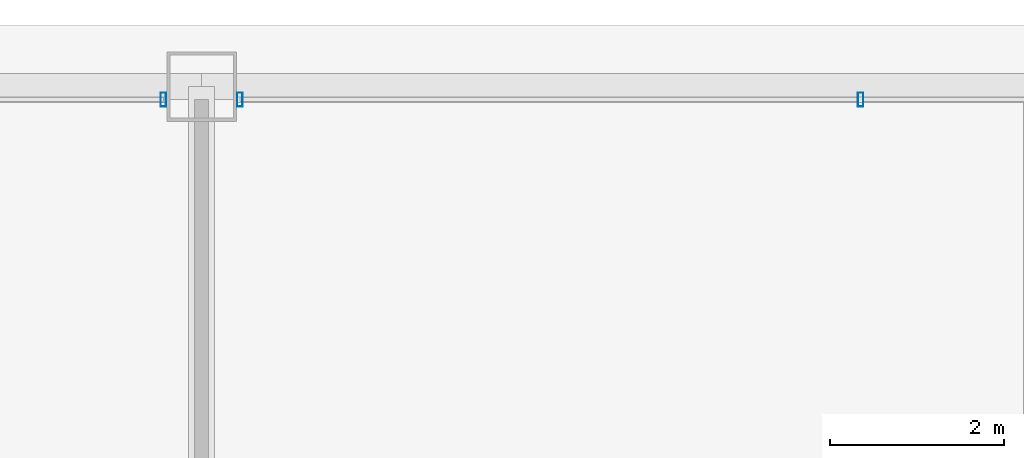
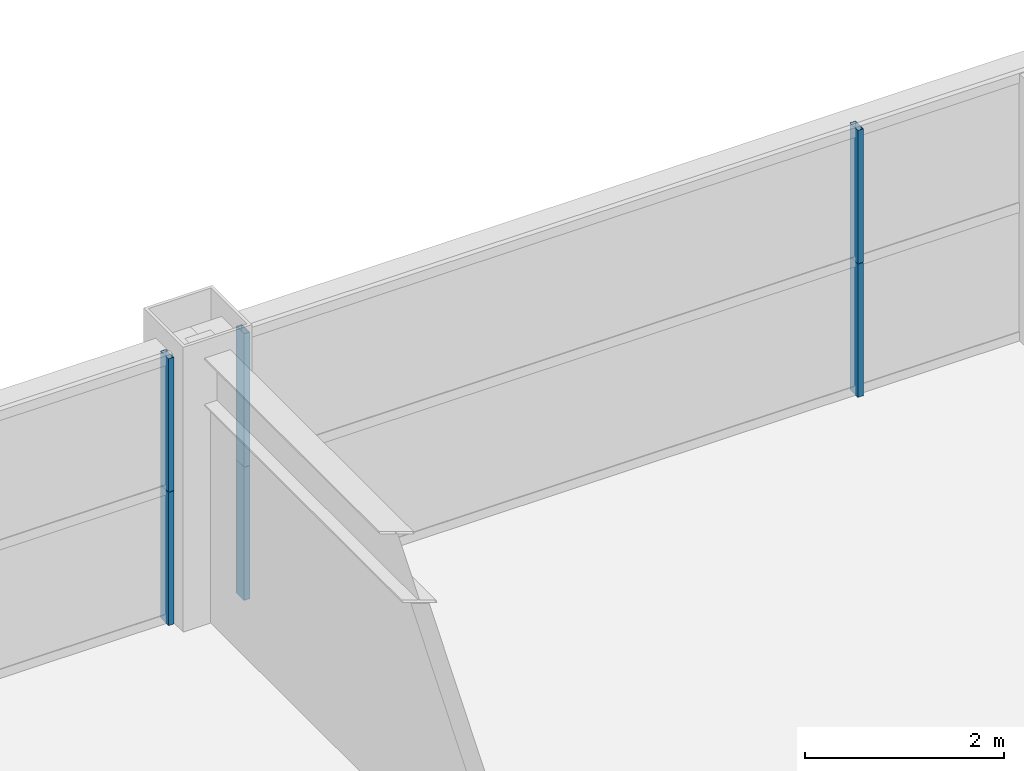
# One storey, part 33 of 42: 6 members, 2 elements without a shape of their own.
"""IFC4 building model written with IfcOpenShell, lengths in metres."""

from ifc_helpers import new_model, si_unit, direction, frame, origin, origin_2d, place, context, subcontext, project, spatial, hollow_rectangle, extrude, source, transform, mapped, material, layer, layer_set, material_profile, profile_set, type_object, element, aggregate, save


model = new_model("IFC4")

# Units and contexts
model_context = context("Model", 3, precision=1e-05, world=origin(), true_north=direction((0.0, 1.0)))
body_context = subcontext(model_context, "Body", "Model", "MODEL_VIEW")
ifc_project = project(units=[si_unit("LENGTHUNIT", "METRE"), si_unit("AREAUNIT", "SQUARE_METRE"), si_unit("VOLUMEUNIT", "CUBIC_METRE"), si_unit("PLANEANGLEUNIT", "RADIAN"), si_unit("MASSUNIT", "GRAM", prefix="KILO"), si_unit("THERMODYNAMICTEMPERATUREUNIT", "KELVIN"), si_unit("POWERUNIT", "WATT")], contexts=[model_context])

# Site, building, storey
site_placement = place(None, origin())
site = spatial("IfcSite", under=ifc_project, at=site_placement, CompositionType="ELEMENT")
building_placement = place(site_placement, origin())
building = spatial("IfcBuilding", under=site, at=building_placement, Name="Yuzanri Waterfront Tower", CompositionType="ELEMENT")
storey_placement = place(building_placement, frame((0.0, 0.0, 184.5)))
storey = spatial("IfcBuildingStorey", under=building, at=storey_placement, Name="L48", CompositionType="ELEMENT", Elevation=184.5)

# Curtain wall, members
ifc_material_1 = material(Name="Anodized Architectural Bronze", Category="metal")
ifc_layer = layer(ifc_material_1, 0.159912109375)
ifc_layer_set = layer_set([ifc_layer], Name="Anodized Architectural Bronze")
curtain_wall_type = type_object("IfcCurtainWallType", Name="Anodized Bronze Mid-Rise Residential Acoustic Unitized Curtain Wall 7200", PredefinedType="NOTDEFINED", material=ifc_layer_set)
curtain_wall_1_placement = place(storey_placement, origin())
curtain_wall_1 = element("IfcCurtainWall", 1, at=curtain_wall_1_placement, inside=storey, type_object=curtain_wall_type, Name="L48 Curtain Wall CW-L48-NL", PredefinedType="NOTDEFINED")
ifc_material_2 = material(Name="Anodized Architectural Bronze", Category="metal")
ifc_material_profile = material_profile(ifc_material_2, hollow_rectangle(XDim=0.06494140625, YDim=0.159912109375, WallThickness=0.00341796875, at=origin_2d()), Name="CWM 65x160")
ifc_profile_set = profile_set([ifc_material_profile], Name="Anodized Architectural Bronze")
member_type = type_object("IfcMemberType", Name="Anodized Bronze Upper-Zone Curtain-Wall Mullion 65x160", PredefinedType="MULLION", material=ifc_profile_set)
shared_shape = source(origin(), body_context, "Body", "SweptSolid", [
    extrude(hollow_rectangle(XDim=0.06494140625, YDim=0.159912109375, WallThickness=0.00341796875, at=origin_2d()), origin(), (0.0, 0.0, 1.0), 1.637939453125),
])
member_1_placement = place(storey_placement, frame((36.56005859375, 47.75, 0.0), z_axis=(0.0, 0.0, 1.0), x_axis=(1.0, 0.0, 0.0)))
member_1 = element("IfcMember", 2, at=member_1_placement, type_object=member_type, Name="CW-L48-NL Lower Mullion 02", PredefinedType="MULLION", context=body_context, shape_type="MappedRepresentation", body=[
    mapped(shared_shape, transform((0.0, 0.0, 0.0), scale=1.0)),
])
member_2_placement = place(storey_placement, frame((36.56005859375, 47.75, 1.64208984375), z_axis=(0.0, 0.0, 1.0), x_axis=(1.0, 0.0, 0.0)))
member_2 = element("IfcMember", 3, at=member_2_placement, type_object=member_type, Name="CW-L48-NL Upper Mullion 02", PredefinedType="MULLION", context=body_context, shape_type="MappedRepresentation", body=[
    mapped(shared_shape, transform((0.0, 0.0, 0.0), scale=1.0)),
])
aggregate(curtain_wall_1, [member_1, member_2])

curtain_wall_2_placement = place(storey_placement, origin())
curtain_wall_2 = element("IfcCurtainWall", 4, at=curtain_wall_2_placement, inside=storey, type_object=curtain_wall_type, Name="L48 Curtain Wall CW-L48-NR", PredefinedType="NOTDEFINED")
member_3_placement = place(storey_placement, frame((37.43994140625, 47.75, 0.0), z_axis=(0.0, 0.0, 1.0), x_axis=(1.0, 0.0, 0.0)))
member_3 = element("IfcMember", 5, at=member_3_placement, type_object=member_type, Name="CW-L48-NR Lower Mullion 00", PredefinedType="MULLION", context=body_context, shape_type="MappedRepresentation", body=[
    mapped(shared_shape, transform((0.0, 0.0, 0.0), scale=1.0)),
])
member_4_placement = place(storey_placement, frame((37.43994140625, 47.75, 1.64208984375), z_axis=(0.0, 0.0, 1.0), x_axis=(1.0, 0.0, 0.0)))
member_4 = element("IfcMember", 6, at=member_4_placement, type_object=member_type, Name="CW-L48-NR Upper Mullion 00", PredefinedType="MULLION", context=body_context, shape_type="MappedRepresentation", body=[
    mapped(shared_shape, transform((0.0, 0.0, 0.0), scale=1.0)),
])
member_5_placement = place(storey_placement, frame((44.574951171875, 47.75, 0.0), z_axis=(0.0, 0.0, 1.0), x_axis=(1.0, 0.0, 0.0)))
member_5 = element("IfcMember", 7, at=member_5_placement, type_object=member_type, Name="CW-L48-NR Lower Mullion 01", PredefinedType="MULLION", context=body_context, shape_type="MappedRepresentation", body=[
    mapped(shared_shape, transform((0.0, 0.0, 0.0), scale=1.0)),
])
member_6_placement = place(storey_placement, frame((44.574951171875, 47.75, 1.64208984375), z_axis=(0.0, 0.0, 1.0), x_axis=(1.0, 0.0, 0.0)))
member_6 = element("IfcMember", 8, at=member_6_placement, type_object=member_type, Name="CW-L48-NR Upper Mullion 01", PredefinedType="MULLION", context=body_context, shape_type="MappedRepresentation", body=[
    mapped(shared_shape, transform((0.0, 0.0, 0.0), scale=1.0)),
])
aggregate(curtain_wall_2, [member_3, member_4, member_5, member_6])

save(model, "model.ifc")
